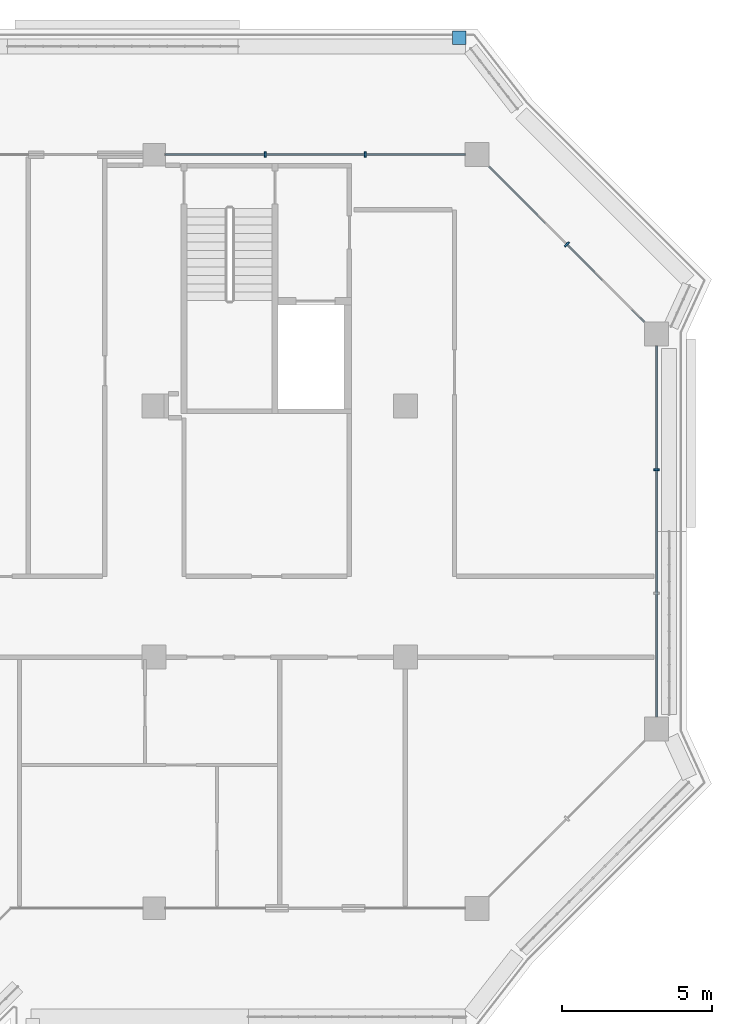
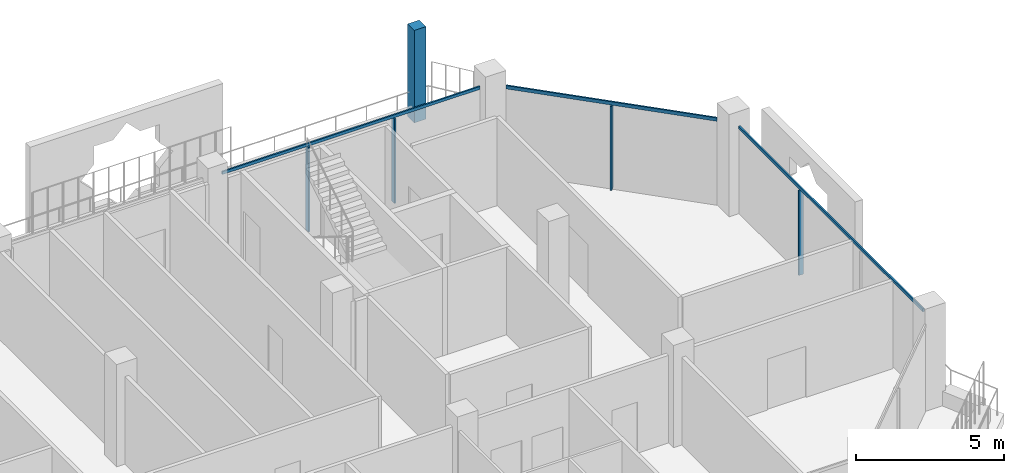
# One storey, part 8 of 21: 8 members, 4 elements without a shape of their own.
"""IFC4 building model written with IfcOpenShell, lengths in metres."""

from ifc_helpers import new_model, si_unit, direction, frame, origin, origin_2d, place, context, subcontext, project, spatial, rectangle, extrude, material, layer, layer_set, material_profile, profile_set, type_object, element, aggregate, save


model = new_model("IFC4")

# Units and contexts
model_context = context("Model", 3, precision=1e-05, world=origin(), true_north=direction((0.0, 1.0)))
body_context = subcontext(model_context, "Body", "Model", "MODEL_VIEW")
ifc_project = project(units=[si_unit("LENGTHUNIT", "METRE"), si_unit("AREAUNIT", "SQUARE_METRE"), si_unit("VOLUMEUNIT", "CUBIC_METRE"), si_unit("PLANEANGLEUNIT", "RADIAN"), si_unit("MASSUNIT", "GRAM", prefix="KILO")], contexts=[model_context])

# Site, building, storey
site_placement = place(None, origin())
site = spatial("IfcSite", under=ifc_project, at=site_placement, CompositionType="ELEMENT")
building_placement = place(site_placement, origin())
building = spatial("IfcBuilding", under=site, at=building_placement, Name="Kawkab Arch Medical Tower", CompositionType="ELEMENT")
storey_placement = place(building_placement, frame((0.0, 0.0, 319.60009765625)))
storey = spatial("IfcBuildingStorey", under=building, at=storey_placement, Name="L74", CompositionType="ELEMENT", Elevation=319.60009765625)

# Curtain wall, member
ifc_material_1 = material(Name="Bronze anodised aluminium curtain wall frame", Category="aluminium")
ifc_layer_1 = layer(ifc_material_1, 0.159912109375)
ifc_layer_set_1 = layer_set([ifc_layer_1], Name="Bronze anodised aluminium curtain wall frame")
curtain_wall_type_1 = type_object("IfcCurtainWallType", Name="CW1 ward curtain wall", PredefinedType="NOTDEFINED", material=ifc_layer_set_1)
placement = place(storey_placement, origin())
curtain_wall_1 = element("IfcCurtainWall", 1, at=placement, inside=storey, type_object=curtain_wall_type_1, Name="CW1 Ward curtain wall R13", PredefinedType="NOTDEFINED")
ifc_material_2 = material(Name="Bronze anodised aluminium curtain wall frame", Category="aluminium")
ifc_material_profile_1 = material_profile(ifc_material_2, rectangle(XDim=0.179931640625, YDim=0.06005859375, at=origin_2d()), Name="AL 60x180")
ifc_profile_set_1 = profile_set([ifc_material_profile_1], Name="Bronze anodised aluminium curtain wall frame")
member_type_1 = type_object("IfcMemberType", Name="CW1 mullion 60 x 180", PredefinedType="MULLION", material=ifc_profile_set_1)
member_1_placement = place(storey_placement, frame((58.800048828125, -10.533447265625, 0.0), z_axis=(0.0, 0.0, 1.0), x_axis=(-1.0, 0.0, 0.0)))
member_1 = element("IfcMember", 2, at=member_1_placement, type_object=member_type_1, Name="CW1 mullion 1.2", PredefinedType="MULLION", context=body_context, shape_type="SweptSolid", body=[
    extrude(rectangle(XDim=0.179931640625, YDim=0.06005859375, at=origin_2d()), origin(), (0.0, 0.0, 1.0), 3.47998046875),
])

# Curtain wall, members
curtain_wall_2 = element("IfcCurtainWall", 3, at=placement, inside=storey, type_object=curtain_wall_type_1, Name="CW1 Ward curtain wall R15", PredefinedType="NOTDEFINED")
member_2_placement = place(storey_placement, frame((49.058349609375, 0.0, 0.0), z_axis=(0.0, 0.0, 1.0), x_axis=(0.0, -1.0, 0.0)))
member_2 = element("IfcMember", 4, at=member_2_placement, type_object=member_type_1, Name="CW1 mullion 1.1", PredefinedType="MULLION", context=body_context, shape_type="SweptSolid", body=[
    extrude(rectangle(XDim=0.179931640625, YDim=0.06005859375, at=origin_2d()), origin(), (0.0, 0.0, 1.0), 3.47998046875),
])
member_3_placement = place(storey_placement, frame((45.716552734375, 0.0, 0.0), z_axis=(0.0, 0.0, 1.0), x_axis=(0.0, -1.0, 0.0)))
member_3 = element("IfcMember", 5, at=member_3_placement, type_object=member_type_1, Name="CW1 mullion 1.2", PredefinedType="MULLION", context=body_context, shape_type="SweptSolid", body=[
    extrude(rectangle(XDim=0.179931640625, YDim=0.06005859375, at=origin_2d()), origin(), (0.0, 0.0, 1.0), 3.47998046875),
])

# Member
ifc_material_3 = material(Name="Bronze anodised aluminium curtain wall frame", Category="aluminium")
ifc_material_profile_2 = material_profile(ifc_material_3, rectangle(XDim=0.06005859375, YDim=0.1201171875, at=origin_2d()), Name="AL 60x120")
ifc_profile_set_2 = profile_set([ifc_material_profile_2], Name="Bronze anodised aluminium curtain wall frame")
member_type_2 = type_object("IfcMemberType", Name="CW1 transom 120 x 60", PredefinedType="USERDEFINED", material=ifc_profile_set_2)
member_4_placement = place(storey_placement, frame((58.800048828125, -18.800048828125, 3.539794921875), z_axis=(0.0, 1.0, 0.0), x_axis=(-1.0, 0.0, 0.0)))
member_4 = element("IfcMember", 6, at=member_4_placement, type_object=member_type_2, Name="CW1 transom 1", ObjectType="TRANSOM", PredefinedType="USERDEFINED", context=body_context, shape_type="SweptSolid", body=[
    extrude(rectangle(XDim=0.06005859375, YDim=0.1201171875, at=origin_2d()), origin(), (0.0, 0.0, 1.0), 12.400146484375),
])

aggregate(curtain_wall_1, [member_4, member_1])

member_5_placement = place(storey_placement, frame((52.39990234375, 0.0, 3.539794921875), z_axis=(-1.0, 0.0, 0.0), x_axis=(0.0, -1.0, 0.0)))
member_5 = element("IfcMember", 7, at=member_5_placement, type_object=member_type_2, Name="CW1 transom 1", ObjectType="TRANSOM", PredefinedType="USERDEFINED", context=body_context, shape_type="SweptSolid", body=[
    extrude(rectangle(XDim=0.06005859375, YDim=0.1201171875, at=origin_2d()), origin(), (0.0, 0.0, 1.0), 10.02490234375),
])

aggregate(curtain_wall_2, [member_5, member_2, member_3])

# Curtain wall, members
ifc_material_4 = material(Name="Bronze anodised aluminium curtain wall frame", Category="aluminium")
ifc_layer_2 = layer(ifc_material_4, 0.159912109375)
ifc_layer_set_2 = layer_set([ifc_layer_2], Name="Bronze anodised aluminium curtain wall frame")
curtain_wall_type_2 = type_object("IfcCurtainWallType", Name="CW2 chamfer curtain wall", PredefinedType="NOTDEFINED", material=ifc_layer_set_2)
curtain_wall_3 = element("IfcCurtainWall", 8, at=placement, inside=storey, type_object=curtain_wall_type_2, Name="CW2 Chamfer curtain wall R14", PredefinedType="NOTDEFINED")
ifc_material_5 = material(Name="Bronze anodised aluminium curtain wall frame", Category="aluminium")
ifc_material_profile_3 = material_profile(ifc_material_5, rectangle(XDim=0.199951171875, YDim=0.06005859375, at=origin_2d()), Name="AL 60x200")
ifc_profile_set_3 = profile_set([ifc_material_profile_3], Name="Bronze anodised aluminium curtain wall frame")
member_type_3 = type_object("IfcMemberType", Name="CW2 mullion 60 x 200", PredefinedType="MULLION", material=ifc_profile_set_3)
member_6_placement = place(storey_placement, frame((55.800048828125, -3.0, 0.0), z_axis=(0.0, 0.0, 1.0), x_axis=(-0.707106781187, -0.707106781187, 0.0)))
member_6 = element("IfcMember", 9, at=member_6_placement, type_object=member_type_3, Name="CW2 mullion 1.1", PredefinedType="MULLION", context=body_context, shape_type="SweptSolid", body=[
    extrude(rectangle(XDim=0.199951171875, YDim=0.06005859375, at=origin_2d()), origin(), (0.0, 0.0, 1.0), 3.4599609375),
])
ifc_material_6 = material(Name="Bronze anodised aluminium curtain wall frame", Category="aluminium")
ifc_material_profile_4 = material_profile(ifc_material_6, rectangle(XDim=0.06005859375, YDim=0.139892578125, at=origin_2d()), Name="AL 60x140")
ifc_profile_set_4 = profile_set([ifc_material_profile_4], Name="Bronze anodised aluminium curtain wall frame")
member_type_4 = type_object("IfcMemberType", Name="CW2 transom 140 x 60", PredefinedType="USERDEFINED", material=ifc_profile_set_4)
member_7_placement = place(storey_placement, frame((58.39990234375, -5.60009765625, 3.52978515625), z_axis=(-0.707090181851, 0.707123380132, 0.0), x_axis=(-0.707123380132, -0.707090181851, 0.0)))
member_7 = element("IfcMember", 10, at=member_7_placement, type_object=member_type_4, Name="CW2 transom 1", ObjectType="TRANSOM", PredefinedType="USERDEFINED", context=body_context, shape_type="SweptSolid", body=[
    extrude(rectangle(XDim=0.06005859375, YDim=0.139892578125, at=origin_2d()), origin(), (0.0, 0.0, 1.0), 7.35400390625),
])
aggregate(curtain_wall_3, [member_7, member_6])

# Curtain wall, member
ifc_material_7 = material(Name="Bronze anodised aluminium climber frame, planted", Category="aluminium")
ifc_layer_3 = layer(ifc_material_7, 0.449951171875)
ifc_layer_set_3 = layer_set([ifc_layer_3], Name="Bronze anodised aluminium climber frame, planted")
curtain_wall_type_3 = type_object("IfcCurtainWallType", Name="Planted climber frame", PredefinedType="NOTDEFINED", material=ifc_layer_set_3)
curtain_wall_4 = element("IfcCurtainWall", 11, at=placement, inside=storey, type_object=curtain_wall_type_3, Name="Planted climber frame L74", PredefinedType="NOTDEFINED")
ifc_material_8 = material(Name="Bronze anodised aluminium climber frame, planted", Category="aluminium")
ifc_material_profile_5 = material_profile(ifc_material_8, rectangle(XDim=0.449951171875, YDim=0.449951171875, at=origin_2d()), Name="Post 450x450")
ifc_profile_set_5 = profile_set([ifc_material_profile_5], Name="Bronze anodised aluminium climber frame, planted")
member_type_5 = type_object("IfcMemberType", Name="Planted climber post 450 x 450", PredefinedType="MULLION", material=ifc_profile_set_5)
member_8_placement = place(storey_placement, frame((52.202880859375, 3.89990234375, 0.0), z_axis=(0.0, 0.0, 1.0), x_axis=(1.0, 0.0, 0.0)))
member_8 = element("IfcMember", 12, at=member_8_placement, type_object=member_type_5, Name="Planted climber post L74.LOG-01-01.4", PredefinedType="MULLION", context=body_context, shape_type="SweptSolid", body=[
    extrude(rectangle(XDim=0.449951171875, YDim=0.449951171875, at=origin_2d()), origin(), (0.0, 0.0, 1.0), 3.7998046875),
])
aggregate(curtain_wall_4, [member_8])

save(model, "model.ifc")
